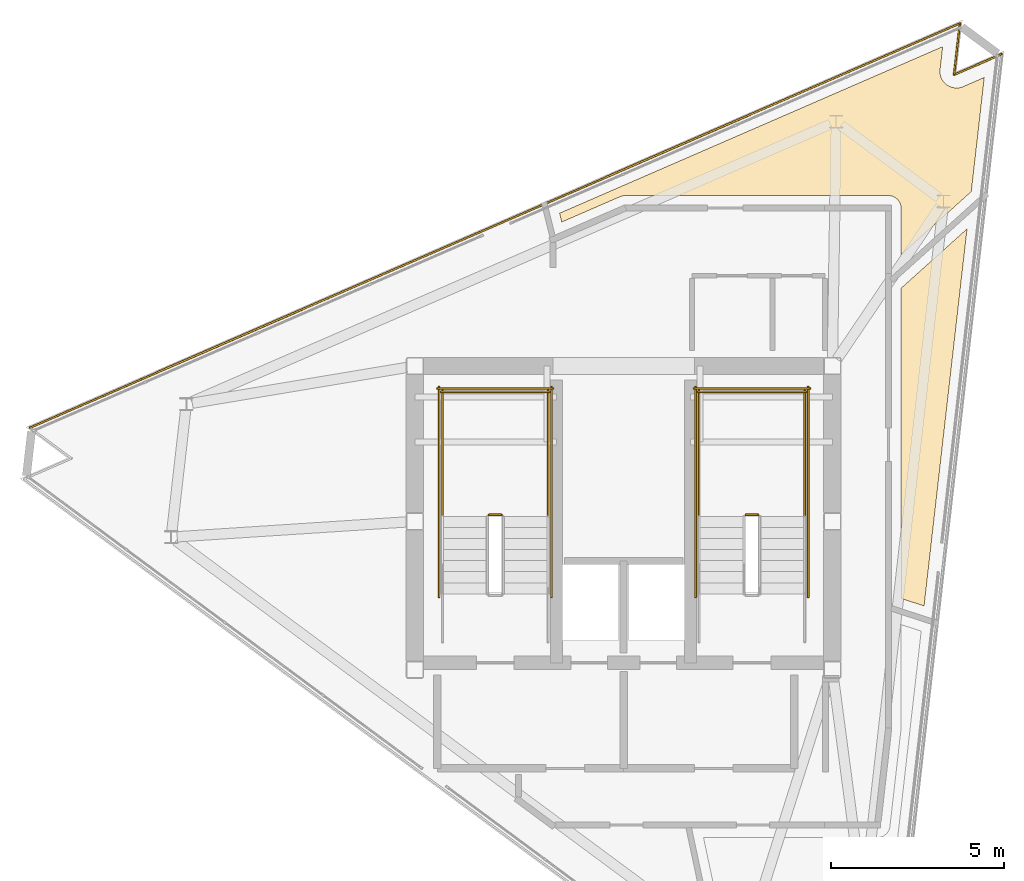
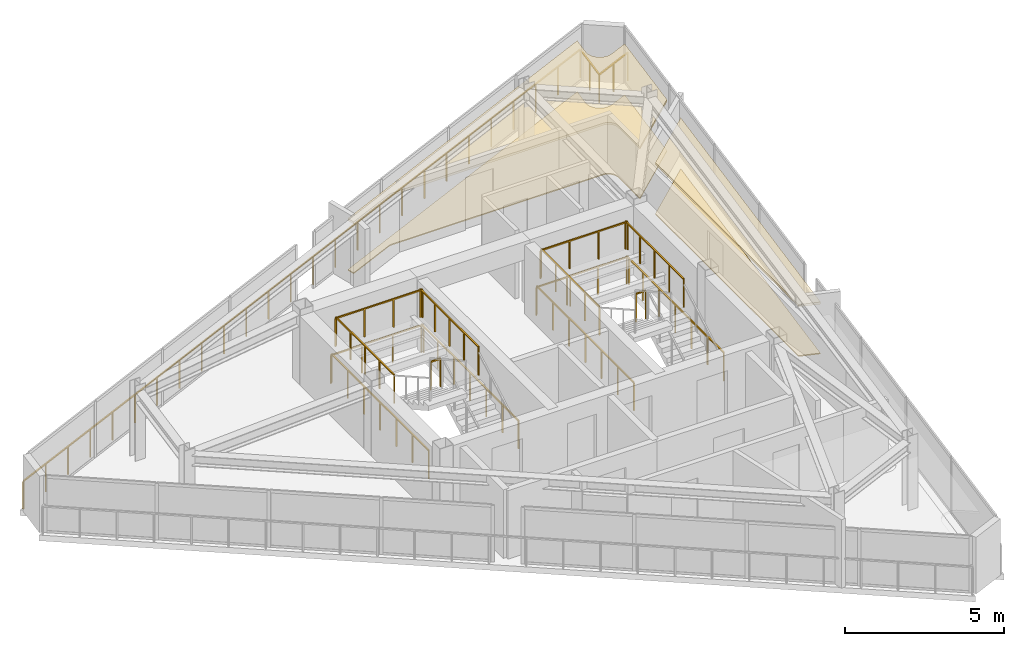
# One storey, part 9 of 9: 15 railings, 4 coverings.
"""IFC4 building model written with IfcOpenShell, lengths in metres."""

from ifc_helpers import new_model, si_unit, direction, frame, origin, origin_2d, place, context, subcontext, project, spatial, polyline, rectangle, outline, extrude, material, layer, layer_set, type_object, element, save


model = new_model("IFC4")

# Units and contexts
model_context = context("Model", 3, precision=1e-05, world=origin(), true_north=direction((0.0, 1.0)))
body_context = subcontext(model_context, "Body", "Model", "MODEL_VIEW")
ifc_project = project(units=[si_unit("LENGTHUNIT", "METRE"), si_unit("AREAUNIT", "SQUARE_METRE"), si_unit("VOLUMEUNIT", "CUBIC_METRE"), si_unit("PLANEANGLEUNIT", "RADIAN"), si_unit("MASSUNIT", "GRAM", prefix="KILO")], contexts=[model_context])

# Site, building, storey
site_placement = place(None, origin())
site = spatial("IfcSite", under=ifc_project, at=site_placement, CompositionType="ELEMENT")
building_placement = place(site_placement, origin())
building = spatial("IfcBuilding", under=site, at=building_placement, Name="Rocaltana Carrier Exchange", CompositionType="ELEMENT")
storey_placement = place(building_placement, frame((0.0, 0.0, 249.1201171875)))
storey = spatial("IfcBuildingStorey", under=building, at=storey_placement, Name="L79", CompositionType="ELEMENT", Elevation=249.1201171875)

# Coverings
ifc_material_1 = material(Name="Honed Bogota Sandstone Tile", Category="masonry")
ifc_layer_1 = layer(ifc_material_1, 0.0400390625)
ifc_layer_set_1 = layer_set([ifc_layer_1], Name="Honed Bogota Sandstone Tile")
covering_type_1 = type_object("IfcCoveringType", Name="Honed Stone Lobby Flooring 40", PredefinedType="FLOORING", material=ifc_layer_set_1)
covering_1_placement = place(storey_placement, origin())
element("IfcCovering", 1, at=covering_1_placement, inside=storey, type_object=covering_type_1, Name="L79 Client Reception Foyer Finish Floor", PredefinedType="FLOORING", context=body_context, shape_type="SweptSolid", body=[
    extrude(outline(polyline([(8.709228515625, -2.451416015625), (8.0400390625, -2.23388671875), (8.0400390625, 6.7548828125), (9.95458984375, 8.478759765625), (8.709228515625, -2.451416015625)])), origin(), (0.0, 0.0, 1.0), 0.039794921875),
])
covering_2_placement = place(storey_placement, origin())
element("IfcCovering", 2, at=covering_2_placement, inside=storey, type_object=covering_type_1, Name="L79 Photonic Integration Workshop Finish Floor", PredefinedType="FLOORING", context=body_context, shape_type="SweptSolid", body=[
    extrude(outline(polyline([(9.248779296875, 13.760009765625), (9.173095703125, 13.095703125), (9.172119140625, 13.081787109375), (9.170654296875, 13.06201171875), (9.17041015625, 13.033935546875), (9.1708984375, 13.01416015625), (9.17333984375, 12.986328125), (9.176025390625, 12.966552734375), (9.181396484375, 12.939208984375), (9.185791015625, 12.919677734375), (9.19384765625, 12.892822265625), (9.200439453125, 12.8740234375), (9.210693359375, 12.84814453125), (9.21923828125, 12.830078125), (9.232421875, 12.805419921875), (9.242431640625, 12.788330078125), (9.2578125, 12.764892578125), (9.26953125, 12.7490234375), (9.287353515625, 12.727294921875), (9.30078125, 12.71240234375), (9.3203125, 12.69287109375), (9.335205078125, 12.679443359375), (9.356689453125, 12.66162109375), (9.372802734375, 12.64990234375), (9.39599609375, 12.634521484375), (9.4130859375, 12.624267578125), (9.437744140625, 12.611083984375), (9.455810546875, 12.6025390625), (9.481689453125, 12.592041015625), (9.50048828125, 12.58544921875), (9.527099609375, 12.577392578125), (9.546630859375, 12.57275390625), (9.573974609375, 12.567626953125), (9.59375, 12.56494140625), (9.62158203125, 12.5625), (9.6416015625, 12.5615234375), (9.66943359375, 12.56201171875), (9.689208984375, 12.563232421875), (9.717041015625, 12.566162109375), (9.73681640625, 12.5693359375), (9.76416015625, 12.5751953125), (9.783203125, 12.580322265625), (9.809814453125, 12.5888671875), (9.82861328125, 12.595947265625), (9.841552734375, 12.601318359375), (10.45458984375, 12.867919921875), (10.07763671875, 9.558349609375), (8.0400390625, 7.7236328125), (8.0400390625, 9.080078125), (8.039794921875, 9.09375), (8.039306640625, 9.1015625), (8.03662109375, 9.12890625), (8.035400390625, 9.13671875), (8.030029296875, 9.16357421875), (8.0283203125, 9.17138671875), (8.020263671875, 9.197509765625), (8.017578125, 9.204833984375), (8.007080078125, 9.230224609375), (8.003662109375, 9.2373046875), (7.99072265625, 9.26171875), (7.98681640625, 9.268310546875), (7.971435546875, 9.291259765625), (7.966796875, 9.297607421875), (7.94921875, 9.31884765625), (7.944091796875, 9.32470703125), (7.924560546875, 9.343994140625), (7.918701171875, 9.349365234375), (7.8974609375, 9.36669921875), (7.89111328125, 9.371337890625), (7.868408203125, 9.38671875), (7.86181640625, 9.390625), (7.83740234375, 9.40380859375), (7.830322265625, 9.406982421875), (7.804931640625, 9.41748046875), (7.797607421875, 9.420166015625), (7.771240234375, 9.42822265625), (7.763671875, 9.43017578125), (7.73681640625, 9.435302734375), (7.72900390625, 9.4365234375), (7.70166015625, 9.439208984375), (7.693603515625, 9.439697265625), (7.679931640625, 9.43994140625), (0.040283203125, 9.43994140625), (0.02587890625, 9.439697265625), (0.017822265625, 9.439208984375), (-0.0107421875, 9.436279296875), (-0.018798828125, 9.43505859375), (-0.047119140625, 9.42919921875), (-0.054931640625, 9.427001953125), (-0.082275390625, 9.41845703125), (-0.08984375, 9.41552734375), (-0.103271484375, 9.41015625), (-1.7919921875, 8.67578125), (-1.85595703125, 8.931640625), (9.248779296875, 13.760009765625)])), origin(), (0.0, 0.0, 1.0), 0.039794921875),
])
ifc_material_2 = material(Name="Anodised Aluminium 6063-T6", Category="aluminium")
ifc_layer_2 = layer(ifc_material_2, 0.0849609375)
ifc_layer_set_2 = layer_set([ifc_layer_2], Name="Anodised Aluminium 6063-T6")
covering_type_2 = type_object("IfcCoveringType", Name="Linear Baffle Acoustic Ceiling 85", PredefinedType="CEILING", material=ifc_layer_set_2)
covering_3_placement = place(storey_placement, frame((0.0, 0.0, 1.912841796875)))
element("IfcCovering", 3, at=covering_3_placement, inside=storey, type_object=covering_type_2, Name="L79 Client Reception Foyer Acoustic Ceiling", PredefinedType="CEILING", context=body_context, shape_type="SweptSolid", body=[
    extrude(outline(polyline([(8.709228515625, -2.451416015625), (8.0400390625, -2.23388671875), (8.0400390625, 6.7548828125), (9.95458984375, 8.478759765625), (8.709228515625, -2.451416015625)])), origin(), (0.0, 0.0, 1.0), 0.0849609375),
])
covering_4_placement = place(storey_placement, frame((0.0, 0.0, 1.912841796875)))
element("IfcCovering", 4, at=covering_4_placement, inside=storey, type_object=covering_type_2, Name="L79 Photonic Integration Workshop Acoustic Ceiling", PredefinedType="CEILING", context=body_context, shape_type="SweptSolid", body=[
    extrude(outline(polyline([(9.248779296875, 13.760009765625), (9.173095703125, 13.095703125), (9.172119140625, 13.081787109375), (9.170654296875, 13.06201171875), (9.17041015625, 13.033935546875), (9.1708984375, 13.01416015625), (9.17333984375, 12.986328125), (9.176025390625, 12.966552734375), (9.181396484375, 12.939208984375), (9.185791015625, 12.919677734375), (9.19384765625, 12.892822265625), (9.200439453125, 12.8740234375), (9.210693359375, 12.84814453125), (9.21923828125, 12.830078125), (9.232421875, 12.805419921875), (9.242431640625, 12.788330078125), (9.2578125, 12.764892578125), (9.26953125, 12.7490234375), (9.287353515625, 12.727294921875), (9.30078125, 12.71240234375), (9.3203125, 12.69287109375), (9.335205078125, 12.679443359375), (9.356689453125, 12.66162109375), (9.372802734375, 12.64990234375), (9.39599609375, 12.634521484375), (9.4130859375, 12.624267578125), (9.437744140625, 12.611083984375), (9.455810546875, 12.6025390625), (9.481689453125, 12.592041015625), (9.50048828125, 12.58544921875), (9.527099609375, 12.577392578125), (9.546630859375, 12.57275390625), (9.573974609375, 12.567626953125), (9.59375, 12.56494140625), (9.62158203125, 12.5625), (9.6416015625, 12.5615234375), (9.66943359375, 12.56201171875), (9.689208984375, 12.563232421875), (9.717041015625, 12.566162109375), (9.73681640625, 12.5693359375), (9.76416015625, 12.5751953125), (9.783203125, 12.580322265625), (9.809814453125, 12.5888671875), (9.82861328125, 12.595947265625), (9.841552734375, 12.601318359375), (10.45458984375, 12.867919921875), (10.07763671875, 9.558349609375), (8.0400390625, 7.7236328125), (8.0400390625, 9.080078125), (8.039794921875, 9.09375), (8.039306640625, 9.1015625), (8.03662109375, 9.12890625), (8.035400390625, 9.13671875), (8.030029296875, 9.16357421875), (8.0283203125, 9.17138671875), (8.020263671875, 9.197509765625), (8.017578125, 9.204833984375), (8.007080078125, 9.230224609375), (8.003662109375, 9.2373046875), (7.99072265625, 9.26171875), (7.98681640625, 9.268310546875), (7.971435546875, 9.291259765625), (7.966796875, 9.297607421875), (7.94921875, 9.31884765625), (7.944091796875, 9.32470703125), (7.924560546875, 9.343994140625), (7.918701171875, 9.349365234375), (7.8974609375, 9.36669921875), (7.89111328125, 9.371337890625), (7.868408203125, 9.38671875), (7.86181640625, 9.390625), (7.83740234375, 9.40380859375), (7.830322265625, 9.406982421875), (7.804931640625, 9.41748046875), (7.797607421875, 9.420166015625), (7.771240234375, 9.42822265625), (7.763671875, 9.43017578125), (7.73681640625, 9.435302734375), (7.72900390625, 9.4365234375), (7.70166015625, 9.439208984375), (7.693603515625, 9.439697265625), (7.679931640625, 9.43994140625), (0.040283203125, 9.43994140625), (0.02587890625, 9.439697265625), (0.017822265625, 9.439208984375), (-0.0107421875, 9.436279296875), (-0.018798828125, 9.43505859375), (-0.047119140625, 9.42919921875), (-0.054931640625, 9.427001953125), (-0.082275390625, 9.41845703125), (-0.08984375, 9.41552734375), (-0.103271484375, 9.41015625), (-1.7919921875, 8.67578125), (-1.85595703125, 8.931640625), (9.248779296875, 13.760009765625)])), origin(), (0.0, 0.0, 1.0), 0.0849609375),
])

# Railings
ifc_material_3 = material(Name="Powder-Coated Aluminium 6063-T6", Category="aluminium")
ifc_layer_3 = layer(ifc_material_3, 0.048095703125)
ifc_layer_set_3 = layer_set([ifc_layer_3], Name="Powder-Coated Aluminium 6063-T6")
railing_type_1 = type_object("IfcRailingType", Name="Stair Well Guardrail 1100", PredefinedType="GUARDRAIL", material=ifc_layer_set_3)
railing_1_placement = place(storey_placement, frame((-3.5400390625, 0.18994140625, 1.43994140625)))
element("IfcRailing", 5, at=railing_1_placement, inside=storey, type_object=railing_type_1, Name="L79 ST-1 stair guard 2", PredefinedType="GUARDRAIL", context=body_context, shape_type="SweptSolid", body=[
    extrude(rectangle(XDim=0.048095703125, YDim=0.048095703125, at=origin_2d()), frame((0.0, 0.0, 1.076171875), z_axis=(-1.0, 0.0, 0.0), x_axis=(0.0, -1.0, 0.0)), (0.0, 0.0, 1.0), 0.35986328125),
    extrude(rectangle(XDim=0.0419921875, YDim=0.0419921875, at=origin_2d()), origin(), (0.0, 0.0, 1.0), 1.052001953125),
    extrude(rectangle(XDim=0.0419921875, YDim=0.0419921875, at=origin_2d()), frame((-0.35986328125, 0.0, 0.0)), (0.0, 0.0, 1.0), 1.052001953125),
])
for number, where, name in (
    (6, (-2.18994140625, 0.139892578125, 1.43994140625), "L79 ST-1 stair guard 3"),
    (7, (-5.25, 0.139892578125, 1.43994140625), "L79 ST-1 stair guard 4"),
):
    element("IfcRailing", number, at=place(storey_placement, frame(where)), inside=storey, type_object=railing_type_1, Name=name, PredefinedType="GUARDRAIL", context=body_context, shape_type="SweptSolid", body=[
        extrude(rectangle(XDim=0.048095703125, YDim=0.048095703125, at=origin_2d()), frame((0.0, 0.0, 1.076171875), z_axis=(0.0, 1.0, 0.0), x_axis=(-1.0, 0.0, 0.0)), (0.0, 0.0, 1.0), 3.66015625),
        extrude(rectangle(XDim=0.0419921875, YDim=0.0419921875, at=origin_2d()), origin(), (0.0, 0.0, 1.0), 1.052001953125),
        extrude(rectangle(XDim=0.0419921875, YDim=0.0419921875, at=origin_2d()), frame((0.0, 0.9150390625, 0.0)), (0.0, 0.0, 1.0), 1.052001953125),
        extrude(rectangle(XDim=0.0419921875, YDim=0.0419921875, at=origin_2d()), frame((0.0, 1.830078125, 0.0)), (0.0, 0.0, 1.0), 1.052001953125),
        extrude(rectangle(XDim=0.0419921875, YDim=0.0419921875, at=origin_2d()), frame((0.0, 2.7451171875, 0.0)), (0.0, 0.0, 1.0), 1.052001953125),
        extrude(rectangle(XDim=0.0419921875, YDim=0.0419921875, at=origin_2d()), frame((0.0, 3.66015625, 0.0)), (0.0, 0.0, 1.0), 1.052001953125),
    ])
railing_2_placement = place(storey_placement, frame((-2.139892578125, 3.75, 1.43994140625)))
element("IfcRailing", 8, at=railing_2_placement, inside=storey, type_object=railing_type_1, Name="L79 ST-1 stair guard 5", PredefinedType="GUARDRAIL", context=body_context, shape_type="SweptSolid", body=[
    extrude(rectangle(XDim=0.048095703125, YDim=0.048095703125, at=origin_2d()), frame((0.0, 0.0, 1.076171875), z_axis=(-1.0, 0.0, 0.0), x_axis=(0.0, -1.0, 0.0)), (0.0, 0.0, 1.0), 3.16015625),
    extrude(rectangle(XDim=0.0419921875, YDim=0.0419921875, at=origin_2d()), origin(), (0.0, 0.0, 1.0), 1.052001953125),
    extrude(rectangle(XDim=0.0419921875, YDim=0.0419921875, at=origin_2d()), frame((-1.053466796875, 0.0, 0.0)), (0.0, 0.0, 1.0), 1.052001953125),
    extrude(rectangle(XDim=0.0419921875, YDim=0.0419921875, at=origin_2d()), frame((-2.106689453125, 0.0, 0.0)), (0.0, 0.0, 1.0), 1.052001953125),
    extrude(rectangle(XDim=0.0419921875, YDim=0.0419921875, at=origin_2d()), frame((-3.16015625, 0.0, 0.0)), (0.0, 0.0, 1.0), 1.052001953125),
])
for number, where, name in (
    (9, (-2.090087890625, -2.199951171875, 0.0), "L79 ST-1 stair guard 10"),
    (10, (-5.35009765625, -2.199951171875, 0.0), "L79 ST-1 stair guard 11"),
):
    element("IfcRailing", number, at=place(storey_placement, frame(where)), inside=storey, type_object=railing_type_1, Name=name, PredefinedType="GUARDRAIL", context=body_context, shape_type="SweptSolid", body=[
        extrude(rectangle(XDim=0.048095703125, YDim=0.048095703125, at=origin_2d()), frame((0.0, 0.0, 1.076171875), z_axis=(0.0, 1.0, 0.0), x_axis=(-1.0, 0.0, 0.0)), (0.0, 0.0, 1.0), 6.099853515625),
        extrude(rectangle(XDim=0.0419921875, YDim=0.0419921875, at=origin_2d()), origin(), (0.0, 0.0, 1.0), 1.052001953125),
        extrude(rectangle(XDim=0.0419921875, YDim=0.0419921875, at=origin_2d()), frame((0.0, 1.0166015625, 0.0)), (0.0, 0.0, 1.0), 1.052001953125),
        extrude(rectangle(XDim=0.0419921875, YDim=0.0419921875, at=origin_2d()), frame((0.0, 2.033203125, 0.0)), (0.0, 0.0, 1.0), 1.052001953125),
        extrude(rectangle(XDim=0.0419921875, YDim=0.0419921875, at=origin_2d()), frame((0.0, 3.0498046875, 0.0)), (0.0, 0.0, 1.0), 1.052001953125),
        extrude(rectangle(XDim=0.0419921875, YDim=0.0419921875, at=origin_2d()), frame((0.0, 4.066650390625, 0.0)), (0.0, 0.0, 1.0), 1.052001953125),
        extrude(rectangle(XDim=0.0419921875, YDim=0.0419921875, at=origin_2d()), frame((0.0, 5.083251953125, 0.0)), (0.0, 0.0, 1.0), 1.052001953125),
        extrude(rectangle(XDim=0.0419921875, YDim=0.0419921875, at=origin_2d()), frame((0.0, 6.099853515625, 0.0)), (0.0, 0.0, 1.0), 1.052001953125),
    ])
railing_3_placement = place(storey_placement, frame((-2.0400390625, 3.85009765625, 0.0)))
element("IfcRailing", 11, at=railing_3_placement, inside=storey, type_object=railing_type_1, Name="L79 ST-1 stair guard 12", PredefinedType="GUARDRAIL", context=body_context, shape_type="SweptSolid", body=[
    extrude(rectangle(XDim=0.048095703125, YDim=0.048095703125, at=origin_2d()), frame((0.0, 0.0, 1.076171875), z_axis=(-1.0, 0.0, 0.0), x_axis=(0.0, -1.0, 0.0)), (0.0, 0.0, 1.0), 3.35986328125),
    extrude(rectangle(XDim=0.0419921875, YDim=0.0419921875, at=origin_2d()), origin(), (0.0, 0.0, 1.0), 1.052001953125),
    extrude(rectangle(XDim=0.0419921875, YDim=0.0419921875, at=origin_2d()), frame((-1.119873046875, 0.0, 0.0)), (0.0, 0.0, 1.0), 1.052001953125),
    extrude(rectangle(XDim=0.0419921875, YDim=0.0419921875, at=origin_2d()), frame((-2.239990234375, 0.0, 0.0)), (0.0, 0.0, 1.0), 1.052001953125),
    extrude(rectangle(XDim=0.0419921875, YDim=0.0419921875, at=origin_2d()), frame((-3.35986328125, 0.0, 0.0)), (0.0, 0.0, 1.0), 1.052001953125),
])
railing_4_placement = place(storey_placement, frame((3.89990234375, 0.18994140625, 1.43994140625)))
element("IfcRailing", 12, at=railing_4_placement, inside=storey, type_object=railing_type_1, Name="L79 ST-2 stair guard 2", PredefinedType="GUARDRAIL", context=body_context, shape_type="SweptSolid", body=[
    extrude(rectangle(XDim=0.048095703125, YDim=0.048095703125, at=origin_2d()), frame((0.0, 0.0, 1.076171875), z_axis=(-1.0, 0.0, 0.0), x_axis=(0.0, -1.0, 0.0)), (0.0, 0.0, 1.0), 0.35986328125),
    extrude(rectangle(XDim=0.0419921875, YDim=0.0419921875, at=origin_2d()), origin(), (0.0, 0.0, 1.0), 1.052001953125),
    extrude(rectangle(XDim=0.0419921875, YDim=0.0419921875, at=origin_2d()), frame((-0.35986328125, 0.0, 0.0)), (0.0, 0.0, 1.0), 1.052001953125),
])
for number, where, name in (
    (13, (5.25, 0.139892578125, 1.43994140625), "L79 ST-2 stair guard 3"),
    (14, (2.18994140625, 0.139892578125, 1.43994140625), "L79 ST-2 stair guard 4"),
):
    element("IfcRailing", number, at=place(storey_placement, frame(where)), inside=storey, type_object=railing_type_1, Name=name, PredefinedType="GUARDRAIL", context=body_context, shape_type="SweptSolid", body=[
        extrude(rectangle(XDim=0.048095703125, YDim=0.048095703125, at=origin_2d()), frame((0.0, 0.0, 1.076171875), z_axis=(0.0, 1.0, 0.0), x_axis=(-1.0, 0.0, 0.0)), (0.0, 0.0, 1.0), 3.66015625),
        extrude(rectangle(XDim=0.0419921875, YDim=0.0419921875, at=origin_2d()), origin(), (0.0, 0.0, 1.0), 1.052001953125),
        extrude(rectangle(XDim=0.0419921875, YDim=0.0419921875, at=origin_2d()), frame((0.0, 0.9150390625, 0.0)), (0.0, 0.0, 1.0), 1.052001953125),
        extrude(rectangle(XDim=0.0419921875, YDim=0.0419921875, at=origin_2d()), frame((0.0, 1.830078125, 0.0)), (0.0, 0.0, 1.0), 1.052001953125),
        extrude(rectangle(XDim=0.0419921875, YDim=0.0419921875, at=origin_2d()), frame((0.0, 2.7451171875, 0.0)), (0.0, 0.0, 1.0), 1.052001953125),
        extrude(rectangle(XDim=0.0419921875, YDim=0.0419921875, at=origin_2d()), frame((0.0, 3.66015625, 0.0)), (0.0, 0.0, 1.0), 1.052001953125),
    ])
railing_5_placement = place(storey_placement, frame((5.300048828125, 3.75, 1.43994140625)))
element("IfcRailing", 15, at=railing_5_placement, inside=storey, type_object=railing_type_1, Name="L79 ST-2 stair guard 5", PredefinedType="GUARDRAIL", context=body_context, shape_type="SweptSolid", body=[
    extrude(rectangle(XDim=0.048095703125, YDim=0.048095703125, at=origin_2d()), frame((0.0, 0.0, 1.076171875), z_axis=(-1.0, 0.0, 0.0), x_axis=(0.0, -1.0, 0.0)), (0.0, 0.0, 1.0), 3.16015625),
    extrude(rectangle(XDim=0.0419921875, YDim=0.0419921875, at=origin_2d()), origin(), (0.0, 0.0, 1.0), 1.052001953125),
    extrude(rectangle(XDim=0.0419921875, YDim=0.0419921875, at=origin_2d()), frame((-1.053466796875, 0.0, 0.0)), (0.0, 0.0, 1.0), 1.052001953125),
    extrude(rectangle(XDim=0.0419921875, YDim=0.0419921875, at=origin_2d()), frame((-2.106689453125, 0.0, 0.0)), (0.0, 0.0, 1.0), 1.052001953125),
    extrude(rectangle(XDim=0.0419921875, YDim=0.0419921875, at=origin_2d()), frame((-3.16015625, 0.0, 0.0)), (0.0, 0.0, 1.0), 1.052001953125),
])
for number, where, name in (
    (16, (5.35009765625, -2.199951171875, 0.0), "L79 ST-2 stair guard 10"),
    (17, (2.090087890625, -2.199951171875, 0.0), "L79 ST-2 stair guard 11"),
):
    element("IfcRailing", number, at=place(storey_placement, frame(where)), inside=storey, type_object=railing_type_1, Name=name, PredefinedType="GUARDRAIL", context=body_context, shape_type="SweptSolid", body=[
        extrude(rectangle(XDim=0.048095703125, YDim=0.048095703125, at=origin_2d()), frame((0.0, 0.0, 1.076171875), z_axis=(0.0, 1.0, 0.0), x_axis=(-1.0, 0.0, 0.0)), (0.0, 0.0, 1.0), 6.099853515625),
        extrude(rectangle(XDim=0.0419921875, YDim=0.0419921875, at=origin_2d()), origin(), (0.0, 0.0, 1.0), 1.052001953125),
        extrude(rectangle(XDim=0.0419921875, YDim=0.0419921875, at=origin_2d()), frame((0.0, 1.0166015625, 0.0)), (0.0, 0.0, 1.0), 1.052001953125),
        extrude(rectangle(XDim=0.0419921875, YDim=0.0419921875, at=origin_2d()), frame((0.0, 2.033203125, 0.0)), (0.0, 0.0, 1.0), 1.052001953125),
        extrude(rectangle(XDim=0.0419921875, YDim=0.0419921875, at=origin_2d()), frame((0.0, 3.0498046875, 0.0)), (0.0, 0.0, 1.0), 1.052001953125),
        extrude(rectangle(XDim=0.0419921875, YDim=0.0419921875, at=origin_2d()), frame((0.0, 4.066650390625, 0.0)), (0.0, 0.0, 1.0), 1.052001953125),
        extrude(rectangle(XDim=0.0419921875, YDim=0.0419921875, at=origin_2d()), frame((0.0, 5.083251953125, 0.0)), (0.0, 0.0, 1.0), 1.052001953125),
        extrude(rectangle(XDim=0.0419921875, YDim=0.0419921875, at=origin_2d()), frame((0.0, 6.099853515625, 0.0)), (0.0, 0.0, 1.0), 1.052001953125),
    ])
railing_6_placement = place(storey_placement, frame((5.39990234375, 3.85009765625, 0.0)))
element("IfcRailing", 18, at=railing_6_placement, inside=storey, type_object=railing_type_1, Name="L79 ST-2 stair guard 12", PredefinedType="GUARDRAIL", context=body_context, shape_type="SweptSolid", body=[
    extrude(rectangle(XDim=0.048095703125, YDim=0.048095703125, at=origin_2d()), frame((0.0, 0.0, 1.076171875), z_axis=(-1.0, 0.0, 0.0), x_axis=(0.0, -1.0, 0.0)), (0.0, 0.0, 1.0), 3.35986328125),
    extrude(rectangle(XDim=0.0419921875, YDim=0.0419921875, at=origin_2d()), origin(), (0.0, 0.0, 1.0), 1.052001953125),
    extrude(rectangle(XDim=0.0419921875, YDim=0.0419921875, at=origin_2d()), frame((-1.119873046875, 0.0, 0.0)), (0.0, 0.0, 1.0), 1.052001953125),
    extrude(rectangle(XDim=0.0419921875, YDim=0.0419921875, at=origin_2d()), frame((-2.239990234375, 0.0, 0.0)), (0.0, 0.0, 1.0), 1.052001953125),
    extrude(rectangle(XDim=0.0419921875, YDim=0.0419921875, at=origin_2d()), frame((-3.35986328125, 0.0, 0.0)), (0.0, 0.0, 1.0), 1.052001953125),
])
ifc_material_4 = material(Name="Powder-Coated Aluminium 6063-T6", Category="aluminium")
ifc_layer_4 = layer(ifc_material_4, 0.06005859375)
ifc_layer_set_4 = layer_set([ifc_layer_4], Name="Powder-Coated Aluminium 6063-T6")
railing_type_2 = type_object("IfcRailingType", Name="Wind-Floor & Terrace Perimeter Guardrail 1100", PredefinedType="GUARDRAIL", material=ifc_layer_set_4)
railing_7_placement = place(storey_placement, frame((-17.205810546875, 2.715087890625, 0.0)))
element("IfcRailing", 19, at=railing_7_placement, inside=storey, type_object=railing_type_2, Name="L79 Perimeter Balcony Guardrail 2", PredefinedType="GUARDRAIL", context=body_context, shape_type="SweptSolid", body=[
    extrude(rectangle(XDim=0.048095703125, YDim=0.048095703125, at=origin_2d()), frame((0.0, 0.0, 1.076171875), z_axis=(0.91705843495, 0.398752839348, 0.0), x_axis=(-0.398752839348, 0.91705843495, 0.0)), (0.0, 0.0, 1.0), 29.39208984375),
    extrude(rectangle(XDim=0.048095703125, YDim=0.048095703125, at=origin_2d()), frame((26.954345703125, 11.72021484375, 1.076171875), z_axis=(-0.113271190728, -0.993564108325, 0.0), x_axis=(0.993564108325, -0.113271190728, 0.0)), (0.0, 0.0, 1.0), 1.500244140625),
    extrude(rectangle(XDim=0.048095703125, YDim=0.048095703125, at=origin_2d()), frame((26.784423828125, 10.229736328125, 1.076171875), z_axis=(0.917070056253, 0.398726111414, 0.0), x_axis=(-0.398726111414, 0.917070056253, 0.0)), (0.0, 0.0, 1.0), 1.500244140625),
    extrude(rectangle(XDim=0.0419921875, YDim=0.0419921875, at=origin_2d()), origin(), (0.0, 0.0, 1.0), 1.052001953125),
    extrude(rectangle(XDim=0.0419921875, YDim=0.0419921875, at=origin_2d()), frame((1.078125, 0.46875, 0.0)), (0.0, 0.0, 1.0), 1.052001953125),
    extrude(rectangle(XDim=0.0419921875, YDim=0.0419921875, at=origin_2d()), frame((2.15625, 0.9375, 0.0)), (0.0, 0.0, 1.0), 1.052001953125),
    extrude(rectangle(XDim=0.0419921875, YDim=0.0419921875, at=origin_2d()), frame((3.234619140625, 1.406494140625, 0.0)), (0.0, 0.0, 1.0), 1.052001953125),
    extrude(rectangle(XDim=0.0419921875, YDim=0.0419921875, at=origin_2d()), frame((4.312744140625, 1.875244140625, 0.0)), (0.0, 0.0, 1.0), 1.052001953125),
    extrude(rectangle(XDim=0.0419921875, YDim=0.0419921875, at=origin_2d()), frame((5.390869140625, 2.343994140625, 0.0)), (0.0, 0.0, 1.0), 1.052001953125),
    extrude(rectangle(XDim=0.0419921875, YDim=0.0419921875, at=origin_2d()), frame((6.468994140625, 2.812744140625, 0.0)), (0.0, 0.0, 1.0), 1.052001953125),
    extrude(rectangle(XDim=0.0419921875, YDim=0.0419921875, at=origin_2d()), frame((7.547119140625, 3.28173828125, 0.0)), (0.0, 0.0, 1.0), 1.052001953125),
    extrude(rectangle(XDim=0.0419921875, YDim=0.0419921875, at=origin_2d()), frame((8.62548828125, 3.75048828125, 0.0)), (0.0, 0.0, 1.0), 1.052001953125),
    extrude(rectangle(XDim=0.0419921875, YDim=0.0419921875, at=origin_2d()), frame((9.70361328125, 4.21923828125, 0.0)), (0.0, 0.0, 1.0), 1.052001953125),
    extrude(rectangle(XDim=0.0419921875, YDim=0.0419921875, at=origin_2d()), frame((10.78173828125, 4.68798828125, 0.0)), (0.0, 0.0, 1.0), 1.052001953125),
    extrude(rectangle(XDim=0.0419921875, YDim=0.0419921875, at=origin_2d()), frame((11.85986328125, 5.156982421875, 0.0)), (0.0, 0.0, 1.0), 1.052001953125),
    extrude(rectangle(XDim=0.0419921875, YDim=0.0419921875, at=origin_2d()), frame((12.93798828125, 5.625732421875, 0.0)), (0.0, 0.0, 1.0), 1.052001953125),
    extrude(rectangle(XDim=0.0419921875, YDim=0.0419921875, at=origin_2d()), frame((14.016357421875, 6.094482421875, 0.0)), (0.0, 0.0, 1.0), 1.052001953125),
    extrude(rectangle(XDim=0.0419921875, YDim=0.0419921875, at=origin_2d()), frame((15.094482421875, 6.563232421875, 0.0)), (0.0, 0.0, 1.0), 1.052001953125),
    extrude(rectangle(XDim=0.0419921875, YDim=0.0419921875, at=origin_2d()), frame((16.172607421875, 7.0322265625, 0.0)), (0.0, 0.0, 1.0), 1.052001953125),
    extrude(rectangle(XDim=0.0419921875, YDim=0.0419921875, at=origin_2d()), frame((17.250732421875, 7.5009765625, 0.0)), (0.0, 0.0, 1.0), 1.052001953125),
    extrude(rectangle(XDim=0.0419921875, YDim=0.0419921875, at=origin_2d()), frame((18.328857421875, 7.9697265625, 0.0)), (0.0, 0.0, 1.0), 1.052001953125),
    extrude(rectangle(XDim=0.0419921875, YDim=0.0419921875, at=origin_2d()), frame((19.4072265625, 8.4384765625, 0.0)), (0.0, 0.0, 1.0), 1.052001953125),
    extrude(rectangle(XDim=0.0419921875, YDim=0.0419921875, at=origin_2d()), frame((20.4853515625, 8.907470703125, 0.0)), (0.0, 0.0, 1.0), 1.052001953125),
    extrude(rectangle(XDim=0.0419921875, YDim=0.0419921875, at=origin_2d()), frame((21.5634765625, 9.376220703125, 0.0)), (0.0, 0.0, 1.0), 1.052001953125),
    extrude(rectangle(XDim=0.0419921875, YDim=0.0419921875, at=origin_2d()), frame((22.6416015625, 9.844970703125, 0.0)), (0.0, 0.0, 1.0), 1.052001953125),
    extrude(rectangle(XDim=0.0419921875, YDim=0.0419921875, at=origin_2d()), frame((23.7197265625, 10.313720703125, 0.0)), (0.0, 0.0, 1.0), 1.052001953125),
    extrude(rectangle(XDim=0.0419921875, YDim=0.0419921875, at=origin_2d()), frame((24.798095703125, 10.78271484375, 0.0)), (0.0, 0.0, 1.0), 1.052001953125),
    extrude(rectangle(XDim=0.0419921875, YDim=0.0419921875, at=origin_2d()), frame((25.876220703125, 11.25146484375, 0.0)), (0.0, 0.0, 1.0), 1.052001953125),
    extrude(rectangle(XDim=0.0419921875, YDim=0.0419921875, at=origin_2d()), frame((26.954345703125, 11.72021484375, 0.0)), (0.0, 0.0, 1.0), 1.052001953125),
    extrude(rectangle(XDim=0.0419921875, YDim=0.0419921875, at=origin_2d()), frame((26.869384765625, 10.97509765625, 0.0)), (0.0, 0.0, 1.0), 1.052001953125),
    extrude(rectangle(XDim=0.0419921875, YDim=0.0419921875, at=origin_2d()), frame((26.784423828125, 10.229736328125, 0.0)), (0.0, 0.0, 1.0), 1.052001953125),
    extrude(rectangle(XDim=0.0419921875, YDim=0.0419921875, at=origin_2d()), frame((27.47216796875, 10.52880859375, 0.0)), (0.0, 0.0, 1.0), 1.052001953125),
    extrude(rectangle(XDim=0.0419921875, YDim=0.0419921875, at=origin_2d()), frame((28.16015625, 10.827880859375, 0.0)), (0.0, 0.0, 1.0), 1.052001953125),
])

save(model, "model.ifc")
